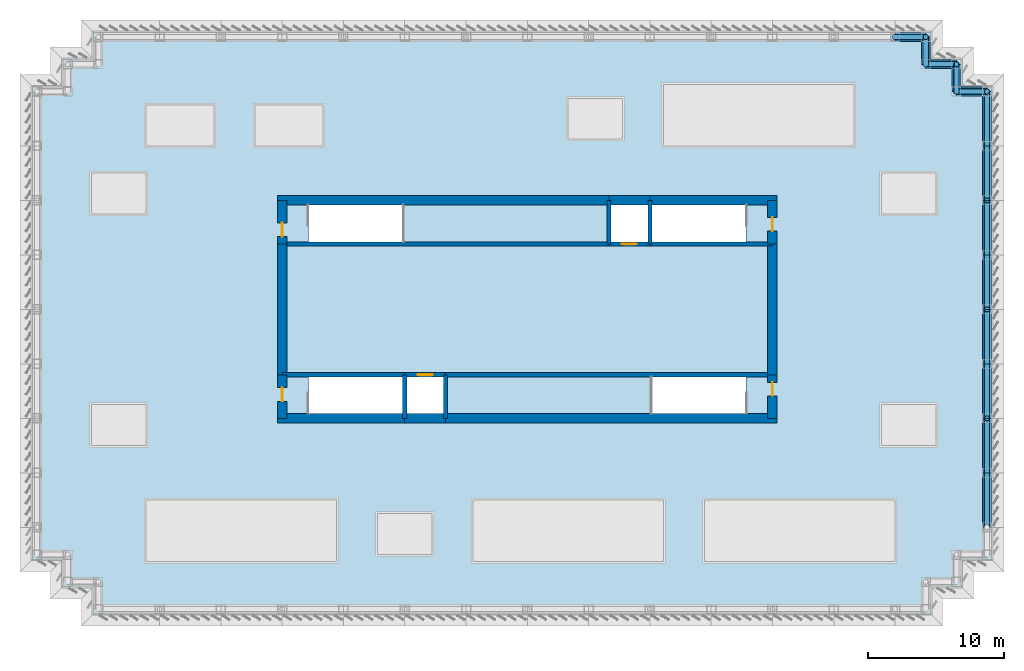
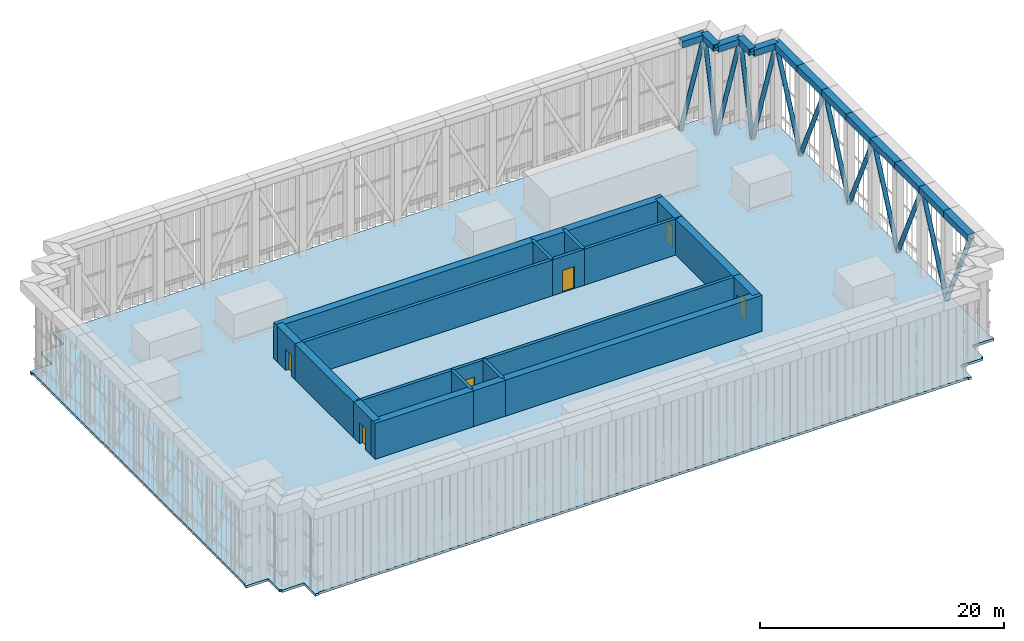
# One storey, part 2 of 11: 22 walls, 13 beams, 13 members, 6 doors, 1 slab, 6 openings.
"""IFC4 building model written with IfcOpenShell, lengths in metres."""

from ifc_helpers import new_model, si_unit, direction, frame, frame_2d, origin, origin_2d, place, context, subcontext, project, spatial, polyline, rectangle, hollow_rectangle, hollow_circle, outline, extrude, material, layer, layer_set, material_profile, profile_set, type_object, element, fill, save


model = new_model("IFC4")

# Units and contexts
model_context = context("Model", 3, precision=1e-05, world=origin(), true_north=direction((0.0, 1.0)))
body_context = subcontext(model_context, "Body", "Model", "MODEL_VIEW")
ifc_project = project(units=[si_unit("LENGTHUNIT", "METRE"), si_unit("AREAUNIT", "SQUARE_METRE"), si_unit("VOLUMEUNIT", "CUBIC_METRE"), si_unit("PLANEANGLEUNIT", "RADIAN"), si_unit("MASSUNIT", "GRAM", prefix="KILO")], contexts=[model_context])

# Site, building, storey
site_placement = place(None, origin())
site = spatial("IfcSite", under=ifc_project, at=site_placement, CompositionType="ELEMENT")
building_placement = place(site_placement, origin())
building = spatial("IfcBuilding", under=site, at=building_placement, Name="Rheinbord Bourse Tower", CompositionType="ELEMENT")
storey_placement = place(building_placement, frame((0.0, 0.0, 334.10009765625)))
storey = spatial("IfcBuildingStorey", under=building, at=storey_placement, Name="RF", CompositionType="ELEMENT", Elevation=334.10009765625)

# Members
ifc_material_1 = material(Name="Steel S460", Category="steel")
ifc_material_profile_1 = material_profile(ifc_material_1, hollow_circle(Radius=0.203125, WallThickness=0.02001953125, at=origin_2d()), Name="CHS 406.4x20")
ifc_profile_set_1 = profile_set([ifc_material_profile_1], Name="Steel S460")
member_type = type_object("IfcMemberType", Name="CROWN FRAME DIAGONAL CHS 406.4x20", PredefinedType="USERDEFINED", material=ifc_profile_set_1)
for number, where, z_axis, x_axis, name in (
    (1, (69.75, 12.0, 0.0), (0.0, -0.418734006911, 0.908108931492), (1.0, 0.0, 0.0), "Crown frame diagonal E-8-E-12"),
    (2, (69.75, 12.0, 0.0), (0.0, 0.418734006911, 0.908108931492), (-1.0, 0.0, 0.0), "Crown frame diagonal E-12-E-16"),
    (3, (69.75, 20.0, 0.0), (0.0, -0.418734006911, 0.908108931492), (1.0, 0.0, 0.0), "Crown frame diagonal E-16-E-20"),
    (4, (69.75, 20.0, 0.0), (0.0, 0.418734006911, 0.908108931492), (-1.0, 0.0, 0.0), "Crown frame diagonal E-20-E-24"),
    (5, (69.75, 28.0, 0.0), (0.0, -0.418734006911, 0.908108931492), (1.0, 0.0, 0.0), "Crown frame diagonal E-24-E-28"),
    (6, (69.75, 28.0, 0.0), (0.0, 0.418734006911, 0.908108931492), (-1.0, 0.0, 0.0), "Crown frame diagonal E-28-E-32"),
    (7, (69.75, 36.0, 0.0), (0.0, -0.418734006911, 0.908108931492), (1.0, 0.0, 0.0), "Crown frame diagonal E-32-E-36"),
    (8, (69.75, 36.0, 0.0), (0.0, 0.418734006911, 0.908108931492), (-1.0, 0.0, 0.0), "Crown frame diagonal E-36-NE-A"),
):
    element("IfcMember", number, at=place(storey_placement, frame(where, z_axis=z_axis, x_axis=x_axis)), inside=storey, type_object=member_type, Name=name, ObjectType="CROWN FRAME", PredefinedType="USERDEFINED", context=body_context, shape_type="SweptSolid", body=[
        extrude(hollow_circle(Radius=0.203125, WallThickness=0.02001953125, at=origin_2d()), origin(), (0.0, 0.0, 1.0), 9.552490234375),
    ])
member_1_placement = place(storey_placement, frame((67.5, 40.0, 0.0), z_axis=(0.251064263174, 0.0, 0.96797042091), x_axis=(0.0, 1.0, 0.0)))
element("IfcMember", 9, at=member_1_placement, inside=storey, type_object=member_type, Name="Crown frame diagonal NE-A-NE-B", ObjectType="CROWN FRAME", PredefinedType="USERDEFINED", context=body_context, shape_type="SweptSolid", body=[
    extrude(hollow_circle(Radius=0.203125, WallThickness=0.02001953125, at=origin_2d()), origin(), (0.0, 0.0, 1.0), 8.9619140625),
])
member_2_placement = place(storey_placement, frame((67.5, 40.0, 0.0), z_axis=(0.0, 0.224659212699, 0.974437395706), x_axis=(-1.0, 0.0, 0.0)))
element("IfcMember", 10, at=member_2_placement, inside=storey, type_object=member_type, Name="Crown frame diagonal NE-B-NE-C", ObjectType="CROWN FRAME", PredefinedType="USERDEFINED", context=body_context, shape_type="SweptSolid", body=[
    extrude(hollow_circle(Radius=0.203125, WallThickness=0.02001953125, at=origin_2d()), origin(), (0.0, 0.0, 1.0), 8.90234375),
])
member_3_placement = place(storey_placement, frame((65.25, 42.0, 0.0), z_axis=(0.251064263174, 0.0, 0.96797042091), x_axis=(0.0, 1.0, 0.0)))
element("IfcMember", 11, at=member_3_placement, inside=storey, type_object=member_type, Name="Crown frame diagonal NE-C-NE-D", ObjectType="CROWN FRAME", PredefinedType="USERDEFINED", context=body_context, shape_type="SweptSolid", body=[
    extrude(hollow_circle(Radius=0.203125, WallThickness=0.02001953125, at=origin_2d()), origin(), (0.0, 0.0, 1.0), 8.9619140625),
])
member_4_placement = place(storey_placement, frame((65.25, 42.0, 0.0), z_axis=(0.0, 0.224659212699, 0.974437395706), x_axis=(-1.0, 0.0, 0.0)))
element("IfcMember", 12, at=member_4_placement, inside=storey, type_object=member_type, Name="Crown frame diagonal NE-D-NE-E", ObjectType="CROWN FRAME", PredefinedType="USERDEFINED", context=body_context, shape_type="SweptSolid", body=[
    extrude(hollow_circle(Radius=0.203125, WallThickness=0.02001953125, at=origin_2d()), origin(), (0.0, 0.0, 1.0), 8.90234375),
])
member_5_placement = place(storey_placement, frame((63.0, 44.0, 0.0), z_axis=(0.251064263174, 0.0, 0.96797042091), x_axis=(0.0, 1.0, 0.0)))
element("IfcMember", 13, at=member_5_placement, inside=storey, type_object=member_type, Name="Crown frame diagonal NE-E-N-63", ObjectType="CROWN FRAME", PredefinedType="USERDEFINED", context=body_context, shape_type="SweptSolid", body=[
    extrude(hollow_circle(Radius=0.203125, WallThickness=0.02001953125, at=origin_2d()), origin(), (0.0, 0.0, 1.0), 8.9619140625),
])

# Beams
ifc_material_2 = material(Name="Steel S460", Category="steel")
ifc_material_profile_2 = material_profile(ifc_material_2, hollow_rectangle(XDim=0.64990234375, YDim=0.64990234375, WallThickness=0.02490234375, at=origin_2d()), Name="BOX 650x650x25")
ifc_profile_set_2 = profile_set([ifc_material_profile_2], Name="Steel S460")
beam_type = type_object("IfcBeamType", Name="CROWN FRAME RING BOX 650x650x25", PredefinedType="USERDEFINED", material=ifc_profile_set_2)
for number, where, z_axis, x_axis, name in (
    (14, (69.75, 8.0, 8.6748046875), (0.0, 1.0, 0.0), (-1.0, 0.0, 0.0), "Crown frame ring E-8-E-12"),
    (15, (69.75, 12.0, 8.6748046875), (0.0, 1.0, 0.0), (-1.0, 0.0, 0.0), "Crown frame ring E-12-E-16"),
    (16, (69.75, 16.0, 8.6748046875), (0.0, 1.0, 0.0), (-1.0, 0.0, 0.0), "Crown frame ring E-16-E-20"),
    (17, (69.75, 20.0, 8.6748046875), (0.0, 1.0, 0.0), (-1.0, 0.0, 0.0), "Crown frame ring E-20-E-24"),
    (18, (69.75, 24.0, 8.6748046875), (0.0, 1.0, 0.0), (-1.0, 0.0, 0.0), "Crown frame ring E-24-E-28"),
    (19, (69.75, 28.0, 8.6748046875), (0.0, 1.0, 0.0), (-1.0, 0.0, 0.0), "Crown frame ring E-28-E-32"),
    (20, (69.75, 32.0, 8.6748046875), (0.0, 1.0, 0.0), (-1.0, 0.0, 0.0), "Crown frame ring E-32-E-36"),
    (21, (69.75, 36.0, 8.6748046875), (0.0, 1.0, 0.0), (-1.0, 0.0, 0.0), "Crown frame ring E-36-NE-A"),
):
    element("IfcBeam", number, at=place(storey_placement, frame(where, z_axis=z_axis, x_axis=x_axis)), inside=storey, type_object=beam_type, Name=name, ObjectType="CROWN FRAME RING", PredefinedType="USERDEFINED", context=body_context, shape_type="SweptSolid", body=[
        extrude(hollow_rectangle(XDim=0.64990234375, YDim=0.64990234375, WallThickness=0.02490234375, at=origin_2d()), origin(), (0.0, 0.0, 1.0), 4.0),
    ])
beam_1_placement = place(storey_placement, frame((69.75, 40.0, 8.6748046875), z_axis=(-1.0, 0.0, 0.0), x_axis=(0.0, -1.0, 0.0)))
element("IfcBeam", 22, at=beam_1_placement, inside=storey, type_object=beam_type, Name="Crown frame ring NE-A-NE-B", ObjectType="CROWN FRAME RING", PredefinedType="USERDEFINED", context=body_context, shape_type="SweptSolid", body=[
    extrude(hollow_rectangle(XDim=0.64990234375, YDim=0.64990234375, WallThickness=0.02490234375, at=origin_2d()), origin(), (0.0, 0.0, 1.0), 2.25),
])
beam_2_placement = place(storey_placement, frame((67.5, 40.0, 8.6748046875), z_axis=(0.0, 1.0, 0.0), x_axis=(-1.0, 0.0, 0.0)))
element("IfcBeam", 23, at=beam_2_placement, inside=storey, type_object=beam_type, Name="Crown frame ring NE-B-NE-C", ObjectType="CROWN FRAME RING", PredefinedType="USERDEFINED", context=body_context, shape_type="SweptSolid", body=[
    extrude(hollow_rectangle(XDim=0.64990234375, YDim=0.64990234375, WallThickness=0.02490234375, at=origin_2d()), origin(), (0.0, 0.0, 1.0), 2.0),
])
beam_3_placement = place(storey_placement, frame((67.5, 42.0, 8.6748046875), z_axis=(-1.0, 0.0, 0.0), x_axis=(0.0, -1.0, 0.0)))
element("IfcBeam", 24, at=beam_3_placement, inside=storey, type_object=beam_type, Name="Crown frame ring NE-C-NE-D", ObjectType="CROWN FRAME RING", PredefinedType="USERDEFINED", context=body_context, shape_type="SweptSolid", body=[
    extrude(hollow_rectangle(XDim=0.64990234375, YDim=0.64990234375, WallThickness=0.02490234375, at=origin_2d()), origin(), (0.0, 0.0, 1.0), 2.25),
])
beam_4_placement = place(storey_placement, frame((65.25, 42.0, 8.6748046875), z_axis=(0.0, 1.0, 0.0), x_axis=(-1.0, 0.0, 0.0)))
element("IfcBeam", 25, at=beam_4_placement, inside=storey, type_object=beam_type, Name="Crown frame ring NE-D-NE-E", ObjectType="CROWN FRAME RING", PredefinedType="USERDEFINED", context=body_context, shape_type="SweptSolid", body=[
    extrude(hollow_rectangle(XDim=0.64990234375, YDim=0.64990234375, WallThickness=0.02490234375, at=origin_2d()), origin(), (0.0, 0.0, 1.0), 2.0),
])
beam_5_placement = place(storey_placement, frame((65.25, 44.0, 8.6748046875), z_axis=(-1.0, 0.0, 0.0), x_axis=(0.0, -1.0, 0.0)))
element("IfcBeam", 26, at=beam_5_placement, inside=storey, type_object=beam_type, Name="Crown frame ring NE-E-N-63", ObjectType="CROWN FRAME RING", PredefinedType="USERDEFINED", context=body_context, shape_type="SweptSolid", body=[
    extrude(hollow_rectangle(XDim=0.64990234375, YDim=0.64990234375, WallThickness=0.02490234375, at=origin_2d()), origin(), (0.0, 0.0, 1.0), 2.25),
])

# Slab
ifc_material_3 = material(Name="Concrete C30/37", Category="concrete")
ifc_layer_1 = layer(ifc_material_3, 0.25)
ifc_layer_set_1 = layer_set([ifc_layer_1], Name="ROOF SLAB 250")
slab_type = type_object("IfcSlabType", Name="ROOF SLAB 250", PredefinedType="ROOF", material=ifc_layer_set_1)
slab_placement = place(storey_placement, frame((0.0, 0.0, -0.25)))
element("IfcSlab", 27, at=slab_placement, inside=storey, type_object=slab_type, Name="Roof slab", PredefinedType="ROOF", context=body_context, shape_type="SweptSolid", body=[
    extrude(outline(polyline([(1.64990234375, 3.39990234375), (1.5, 3.39990234375), (1.5, 5.25), (-0.60009765625, 5.25), (-0.60009765625, 5.550048828125), (-0.5, 5.550048828125), (-0.5, 40.449951171875), (-0.60009765625, 40.449951171875), (-0.60009765625, 40.75), (1.5, 40.75), (1.5, 42.60009765625), (1.64990234375, 42.60009765625), (1.64990234375, 42.75), (3.75, 42.75), (3.75, 44.60009765625), (4.050048828125, 44.60009765625), (4.050048828125, 44.5), (65.699951171875, 44.5), (65.699951171875, 44.60009765625), (66.0, 44.60009765625), (66.0, 42.75), (68.10009765625, 42.75), (68.10009765625, 42.60009765625), (68.25, 42.60009765625), (68.25, 40.75), (70.35009765625, 40.75), (70.35009765625, 40.449951171875), (70.25, 40.449951171875), (70.25, 5.550048828125), (70.35009765625, 5.550048828125), (70.35009765625, 5.25), (68.25, 5.25), (68.25, 3.39990234375), (68.10009765625, 3.39990234375), (68.10009765625, 3.25), (66.0, 3.25), (66.0, 1.39990234375), (65.699951171875, 1.39990234375), (65.699951171875, 1.5), (4.050048828125, 1.5), (4.050048828125, 1.39990234375), (3.75, 1.39990234375), (3.75, 3.25), (1.64990234375, 3.25), (1.64990234375, 3.39990234375)]), holes=[polyline([(19.949951171875, 16.35009765625), (19.949951171875, 19.050048828125), (26.85009765625, 19.050048828125), (26.85009765625, 16.35009765625), (19.949951171875, 16.35009765625)]), polyline([(19.949951171875, 28.949951171875), (19.949951171875, 31.64990234375), (26.85009765625, 31.64990234375), (26.85009765625, 28.949951171875), (19.949951171875, 28.949951171875)]), polyline([(45.14990234375, 16.35009765625), (45.14990234375, 19.050048828125), (52.050048828125, 19.050048828125), (52.050048828125, 16.35009765625), (45.14990234375, 16.35009765625)]), polyline([(45.14990234375, 28.949951171875), (45.14990234375, 31.64990234375), (52.050048828125, 31.64990234375), (52.050048828125, 28.949951171875), (45.14990234375, 28.949951171875)]), polyline([(27.14990234375, 16.35009765625), (27.14990234375, 19.050048828125), (29.85009765625, 19.050048828125), (29.85009765625, 16.35009765625), (27.14990234375, 16.35009765625)]), polyline([(42.14990234375, 28.949951171875), (42.14990234375, 31.64990234375), (44.85009765625, 31.64990234375), (44.85009765625, 28.949951171875), (42.14990234375, 28.949951171875)])]), origin(), (0.0, 0.0, 1.0), 0.25),
])

# Wall
ifc_material_4 = material(Name="Concrete C50/60", Category="concrete")
ifc_layer_2 = layer(ifc_material_4, 0.300048828125)
ifc_layer_set_2 = layer_set([ifc_layer_2], Name="CORE INNER WALL 300")
wall_type_1 = type_object("IfcWallType", Name="CORE INNER WALL 300", PredefinedType="SOLIDWALL", material=ifc_layer_set_2)
wall_1_placement = place(storey_placement, frame((18.0, 19.199951171875, 0.0), z_axis=(0.0, 0.0, 1.0), x_axis=(1.0, 0.0, 0.0)))
element("IfcWall", 28, at=wall_1_placement, inside=storey, type_object=wall_type_1, Name="Core wall A1 RF", PredefinedType="SOLIDWALL", context=body_context, shape_type="SweptSolid", body=[
    extrude(rectangle(XDim=9.0, YDim=0.300048828125, at=frame_2d((4.5, 0.0))), origin(), (0.0, 0.0, 1.0), 3.599853515625),
])

# Wall, opening, door
wall_2_placement = place(storey_placement, frame((27.0, 19.199951171875, 0.0), z_axis=(0.0, 0.0, 1.0), x_axis=(1.0, 0.0, 0.0)))
wall_2 = element("IfcWall", 29, at=wall_2_placement, inside=storey, type_object=wall_type_1, Name="Core wall A2 RF", PredefinedType="SOLIDWALL", context=body_context, shape_type="SweptSolid", body=[
    extrude(rectangle(XDim=3.0, YDim=0.300048828125, at=frame_2d((1.5, 0.0))), origin(), (0.0, 0.0, 1.0), 3.599853515625),
])
opening_1_placement = place(wall_2_placement, frame((0.949951171875, 0.0, 0.0)))
opening_1 = element("IfcOpeningElement", 30, at=opening_1_placement, cuts=wall_2, Name="Opening FL1", PredefinedType="OPENING", context=body_context, shape_type="SweptSolid", body=[
    extrude(rectangle(XDim=1.10009765625, YDim=2.199951171875, at=frame_2d((0.550048828125, 1.10009765625))), frame((0.0, 0.159912109375, 0.0), z_axis=(0.0, -1.0, 0.0), x_axis=(1.0, 0.0, 0.0)), (0.0, 0.0, 1.0), 0.320068359375),
])
ifc_material_5 = material(Name="Steel landing door", Category="steel")
door_type_1 = type_object("IfcDoorType", Name="LIFT LANDING DOOR 1100", OperationType="DOUBLE_DOOR_SLIDING", PredefinedType="USERDEFINED", material=ifc_material_5)
door_1_placement = place(opening_1_placement, origin())
door_1 = element("IfcDoor", 31, at=door_1_placement, inside=storey, type_object=door_type_1, Name="Lift landing door FL1 RF", ObjectType="LIFT LANDING DOOR", OperationType="DOUBLE_DOOR_SLIDING", OverallHeight=2.199951171875, OverallWidth=1.10009765625, PredefinedType="USERDEFINED", context=body_context, shape_type="SweptSolid", body=[
    extrude(rectangle(XDim=1.10009765625, YDim=2.199951171875, at=frame_2d((0.550048828125, 1.10009765625))), frame((0.0, 0.02490234375, 0.0), z_axis=(0.0, -1.0, 0.0), x_axis=(1.0, 0.0, 0.0)), (0.0, 0.0, 1.0), 0.050048828125),
])
fill(opening_1, door_1)

# Walls
for number, where, z_axis, x_axis, name in (
    (32, (30.0, 19.199951171875, 0.0), (0.0, 0.0, 1.0), (1.0, 0.0, 0.0), "Core wall A3 RF"),
    (33, (18.0, 28.800048828125, 0.0), (0.0, 0.0, 1.0), (1.0, 0.0, 0.0), "Core wall B1 RF"),
):
    element("IfcWall", number, at=place(storey_placement, frame(where, z_axis=z_axis, x_axis=x_axis)), inside=storey, type_object=wall_type_1, Name=name, PredefinedType="SOLIDWALL", context=body_context, shape_type="SweptSolid", body=[
        extrude(rectangle(XDim=24.0, YDim=0.300048828125, at=frame_2d((12.0, 0.0))), origin(), (0.0, 0.0, 1.0), 3.599853515625),
    ])

# Wall, opening, door
wall_3_placement = place(storey_placement, frame((42.0, 28.800048828125, 0.0), z_axis=(0.0, 0.0, 1.0), x_axis=(1.0, 0.0, 0.0)))
wall_3 = element("IfcWall", 34, at=wall_3_placement, inside=storey, type_object=wall_type_1, Name="Core wall B2 RF", PredefinedType="SOLIDWALL", context=body_context, shape_type="SweptSolid", body=[
    extrude(rectangle(XDim=3.0, YDim=0.300048828125, at=frame_2d((1.5, 0.0))), origin(), (0.0, 0.0, 1.0), 3.599853515625),
])
opening_2_placement = place(wall_3_placement, frame((0.949951171875, 0.0, 0.0)))
opening_2 = element("IfcOpeningElement", 35, at=opening_2_placement, cuts=wall_3, Name="Opening FL2", PredefinedType="OPENING", context=body_context, shape_type="SweptSolid", body=[
    extrude(rectangle(XDim=1.10009765625, YDim=2.199951171875, at=frame_2d((0.550048828125, 1.10009765625))), frame((0.0, 0.159912109375, 0.0), z_axis=(0.0, -1.0, 0.0), x_axis=(1.0, 0.0, 0.0)), (0.0, 0.0, 1.0), 0.320068359375),
])
door_2_placement = place(opening_2_placement, origin())
door_2 = element("IfcDoor", 36, at=door_2_placement, inside=storey, type_object=door_type_1, Name="Lift landing door FL2 RF", ObjectType="LIFT LANDING DOOR", OperationType="DOUBLE_DOOR_SLIDING", OverallHeight=2.199951171875, OverallWidth=1.10009765625, PredefinedType="USERDEFINED", context=body_context, shape_type="SweptSolid", body=[
    extrude(rectangle(XDim=1.10009765625, YDim=2.199951171875, at=frame_2d((0.550048828125, 1.10009765625))), frame((0.0, 0.02490234375, 0.0), z_axis=(0.0, -1.0, 0.0), x_axis=(1.0, 0.0, 0.0)), (0.0, 0.0, 1.0), 0.050048828125),
])
fill(opening_2, door_2)

# Walls
wall_4_placement = place(storey_placement, frame((45.0, 28.800048828125, 0.0), z_axis=(0.0, 0.0, 1.0), x_axis=(1.0, 0.0, 0.0)))
element("IfcWall", 37, at=wall_4_placement, inside=storey, type_object=wall_type_1, Name="Core wall B3 RF", PredefinedType="SOLIDWALL", context=body_context, shape_type="SweptSolid", body=[
    extrude(rectangle(XDim=9.0, YDim=0.300048828125, at=frame_2d((4.5, 0.0))), origin(), (0.0, 0.0, 1.0), 3.599853515625),
])
for number, where, z_axis, x_axis, name in (
    (38, (27.0, 16.0, 0.0), (0.0, 0.0, 1.0), (0.0, 1.0, 0.0), "Core wall SX27 RF"),
    (39, (30.0, 16.0, 0.0), (0.0, 0.0, 1.0), (0.0, 1.0, 0.0), "Core wall SX30 RF"),
    (40, (42.0, 28.800048828125, 0.0), (0.0, 0.0, 1.0), (0.0, 1.0, 0.0), "Core wall NX42 RF"),
    (41, (45.0, 28.800048828125, 0.0), (0.0, 0.0, 1.0), (0.0, 1.0, 0.0), "Core wall NX45 RF"),
):
    element("IfcWall", number, at=place(storey_placement, frame(where, z_axis=z_axis, x_axis=x_axis)), inside=storey, type_object=wall_type_1, Name=name, PredefinedType="SOLIDWALL", context=body_context, shape_type="SweptSolid", body=[
        extrude(rectangle(XDim=3.199951171875, YDim=0.300048828125, at=frame_2d((1.60009765625, 0.0))), origin(), (0.0, 0.0, 1.0), 3.599853515625),
    ])
ifc_material_6 = material(Name="Concrete C50/60", Category="concrete")
ifc_layer_3 = layer(ifc_material_6, 0.699951171875)
ifc_layer_set_3 = layer_set([ifc_layer_3], Name="CORE WALL 700")
wall_type_2 = type_object("IfcWallType", Name="CORE WALL 700", PredefinedType="SHEAR", material=ifc_layer_set_3)
wall_5_placement = place(storey_placement, frame((17.64990234375, 16.0, 0.0), z_axis=(0.0, 0.0, 1.0), x_axis=(1.0, 0.0, 0.0)))
element("IfcWall", 42, at=wall_5_placement, inside=storey, type_object=wall_type_2, Name="Core wall S1 RF", PredefinedType="SHEAR", context=body_context, shape_type="SweptSolid", body=[
    extrude(rectangle(XDim=9.35009765625, YDim=0.699951171875, at=frame_2d((4.675048828125, 0.0))), origin(), (0.0, 0.0, 1.0), 3.599853515625),
])
wall_6_placement = place(storey_placement, frame((27.0, 16.0, 0.0), z_axis=(0.0, 0.0, 1.0), x_axis=(1.0, 0.0, 0.0)))
element("IfcWall", 43, at=wall_6_placement, inside=storey, type_object=wall_type_2, Name="Core wall S2 RF", PredefinedType="SHEAR", context=body_context, shape_type="SweptSolid", body=[
    extrude(rectangle(XDim=3.0, YDim=0.699951171875, at=frame_2d((1.5, 0.0))), origin(), (0.0, 0.0, 1.0), 3.599853515625),
])
wall_7_placement = place(storey_placement, frame((30.0, 16.0, 0.0), z_axis=(0.0, 0.0, 1.0), x_axis=(1.0, 0.0, 0.0)))
element("IfcWall", 44, at=wall_7_placement, inside=storey, type_object=wall_type_2, Name="Core wall S3 RF", PredefinedType="SHEAR", context=body_context, shape_type="SweptSolid", body=[
    extrude(rectangle(XDim=24.35009765625, YDim=0.699951171875, at=frame_2d((12.175048828125, 0.0))), origin(), (0.0, 0.0, 1.0), 3.599853515625),
])
wall_8_placement = place(storey_placement, frame((54.35009765625, 32.0, 0.0), z_axis=(0.0, 0.0, 1.0), x_axis=(-1.0, 0.0, 0.0)))
element("IfcWall", 45, at=wall_8_placement, inside=storey, type_object=wall_type_2, Name="Core wall N1 RF", PredefinedType="SHEAR", context=body_context, shape_type="SweptSolid", body=[
    extrude(rectangle(XDim=9.35009765625, YDim=0.699951171875, at=frame_2d((4.675048828125, 0.0))), origin(), (0.0, 0.0, 1.0), 3.599853515625),
])
wall_9_placement = place(storey_placement, frame((45.0, 32.0, 0.0), z_axis=(0.0, 0.0, 1.0), x_axis=(-1.0, 0.0, 0.0)))
element("IfcWall", 46, at=wall_9_placement, inside=storey, type_object=wall_type_2, Name="Core wall N2 RF", PredefinedType="SHEAR", context=body_context, shape_type="SweptSolid", body=[
    extrude(rectangle(XDim=3.0, YDim=0.699951171875, at=frame_2d((1.5, 0.0))), origin(), (0.0, 0.0, 1.0), 3.599853515625),
])
wall_10_placement = place(storey_placement, frame((42.0, 32.0, 0.0), z_axis=(0.0, 0.0, 1.0), x_axis=(-1.0, 0.0, 0.0)))
element("IfcWall", 47, at=wall_10_placement, inside=storey, type_object=wall_type_2, Name="Core wall N3 RF", PredefinedType="SHEAR", context=body_context, shape_type="SweptSolid", body=[
    extrude(rectangle(XDim=24.35009765625, YDim=0.699951171875, at=frame_2d((12.175048828125, 0.0))), origin(), (0.0, 0.0, 1.0), 3.599853515625),
])

# Wall, opening, door
wall_11_placement = place(storey_placement, frame((18.0, 32.0, 0.0), z_axis=(0.0, 0.0, 1.0), x_axis=(0.0, -1.0, 0.0)))
wall_11 = element("IfcWall", 48, at=wall_11_placement, inside=storey, type_object=wall_type_2, Name="Core wall W1 RF", PredefinedType="SHEAR", context=body_context, shape_type="SweptSolid", body=[
    extrude(rectangle(XDim=3.199951171875, YDim=0.699951171875, at=frame_2d((1.60009765625, 0.0))), origin(), (0.0, 0.0, 1.0), 3.599853515625),
])
opening_3_placement = place(wall_11_placement, frame((1.64990234375, 0.0, 0.0)))
opening_3 = element("IfcOpeningElement", 49, at=opening_3_placement, cuts=wall_11, Name="Opening RF2", PredefinedType="OPENING", context=body_context, shape_type="SweptSolid", body=[
    extrude(rectangle(XDim=1.0, YDim=2.10009765625, at=frame_2d((0.5, 1.050048828125))), frame((0.0, 0.35986328125, 0.0), z_axis=(0.0, -1.0, 0.0), x_axis=(1.0, 0.0, 0.0)), (0.0, 0.0, 1.0), 0.719970703125),
])
ifc_material_7 = material(Name="Steel door", Category="steel")
door_type_2 = type_object("IfcDoorType", Name="DOOR 1000 EI30", OperationType="SINGLE_SWING_LEFT", PredefinedType="DOOR", material=ifc_material_7)
door_3_placement = place(opening_3_placement, origin())
door_3 = element("IfcDoor", 50, at=door_3_placement, inside=storey, type_object=door_type_2, Name="Roof door ST2", OperationType="SINGLE_SWING_RIGHT", OverallHeight=2.10009765625, OverallWidth=1.0, PredefinedType="DOOR", context=body_context, shape_type="SweptSolid", body=[
    extrude(rectangle(XDim=1.0, YDim=2.10009765625, at=frame_2d((0.5, 1.050048828125))), frame((0.0, 0.02490234375, 0.0), z_axis=(0.0, -1.0, 0.0), x_axis=(1.0, 0.0, 0.0)), (0.0, 0.0, 1.0), 0.050048828125),
])
fill(opening_3, door_3)

# Wall
wall_12_placement = place(storey_placement, frame((18.0, 28.800048828125, 0.0), z_axis=(0.0, 0.0, 1.0), x_axis=(0.0, -1.0, 0.0)))
element("IfcWall", 51, at=wall_12_placement, inside=storey, type_object=wall_type_2, Name="Core wall W2 RF", PredefinedType="SHEAR", context=body_context, shape_type="SweptSolid", body=[
    extrude(rectangle(XDim=9.60009765625, YDim=0.699951171875, at=frame_2d((4.800048828125, 0.0))), origin(), (0.0, 0.0, 1.0), 3.599853515625),
])

# Wall, opening, door
wall_13_placement = place(storey_placement, frame((18.0, 19.199951171875, 0.0), z_axis=(0.0, 0.0, 1.0), x_axis=(0.0, -1.0, 0.0)))
wall_13 = element("IfcWall", 52, at=wall_13_placement, inside=storey, type_object=wall_type_2, Name="Core wall W3 RF", PredefinedType="SHEAR", context=body_context, shape_type="SweptSolid", body=[
    extrude(rectangle(XDim=3.199951171875, YDim=0.699951171875, at=frame_2d((1.60009765625, 0.0))), origin(), (0.0, 0.0, 1.0), 3.599853515625),
])
opening_4_placement = place(wall_13_placement, frame((0.949951171875, 0.0, 0.0)))
opening_4 = element("IfcOpeningElement", 53, at=opening_4_placement, cuts=wall_13, Name="Opening RF1", PredefinedType="OPENING", context=body_context, shape_type="SweptSolid", body=[
    extrude(rectangle(XDim=1.0, YDim=2.10009765625, at=frame_2d((0.5, 1.050048828125))), frame((0.0, 0.35986328125, 0.0), z_axis=(0.0, -1.0, 0.0), x_axis=(1.0, 0.0, 0.0)), (0.0, 0.0, 1.0), 0.719970703125),
])
door_4_placement = place(opening_4_placement, origin())
door_4 = element("IfcDoor", 54, at=door_4_placement, inside=storey, type_object=door_type_2, Name="Roof door ST1", OperationType="SINGLE_SWING_LEFT", OverallHeight=2.10009765625, OverallWidth=1.0, PredefinedType="DOOR", context=body_context, shape_type="SweptSolid", body=[
    extrude(rectangle(XDim=1.0, YDim=2.10009765625, at=frame_2d((0.5, 1.050048828125))), frame((0.0, 0.02490234375, 0.0), z_axis=(0.0, -1.0, 0.0), x_axis=(1.0, 0.0, 0.0)), (0.0, 0.0, 1.0), 0.050048828125),
])
fill(opening_4, door_4)

wall_14_placement = place(storey_placement, frame((54.0, 16.0, 0.0), z_axis=(0.0, 0.0, 1.0), x_axis=(0.0, 1.0, 0.0)))
wall_14 = element("IfcWall", 55, at=wall_14_placement, inside=storey, type_object=wall_type_2, Name="Core wall E1 RF", PredefinedType="SHEAR", context=body_context, shape_type="SweptSolid", body=[
    extrude(rectangle(XDim=3.199951171875, YDim=0.699951171875, at=frame_2d((1.60009765625, 0.0))), origin(), (0.0, 0.0, 1.0), 3.599853515625),
])
opening_5_placement = place(wall_14_placement, frame((1.64990234375, 0.0, 0.0)))
opening_5 = element("IfcOpeningElement", 56, at=opening_5_placement, cuts=wall_14, Name="Opening RF3", PredefinedType="OPENING", context=body_context, shape_type="SweptSolid", body=[
    extrude(rectangle(XDim=1.0, YDim=2.10009765625, at=frame_2d((0.5, 1.050048828125))), frame((0.0, 0.35986328125, 0.0), z_axis=(0.0, -1.0, 0.0), x_axis=(1.0, 0.0, 0.0)), (0.0, 0.0, 1.0), 0.719970703125),
])
door_5_placement = place(opening_5_placement, origin())
door_5 = element("IfcDoor", 57, at=door_5_placement, inside=storey, type_object=door_type_2, Name="Roof door ST3", OperationType="SINGLE_SWING_RIGHT", OverallHeight=2.10009765625, OverallWidth=1.0, PredefinedType="DOOR", context=body_context, shape_type="SweptSolid", body=[
    extrude(rectangle(XDim=1.0, YDim=2.10009765625, at=frame_2d((0.5, 1.050048828125))), frame((0.0, 0.02490234375, 0.0), z_axis=(0.0, -1.0, 0.0), x_axis=(1.0, 0.0, 0.0)), (0.0, 0.0, 1.0), 0.050048828125),
])
fill(opening_5, door_5)

# Wall
wall_15_placement = place(storey_placement, frame((54.0, 19.199951171875, 0.0), z_axis=(0.0, 0.0, 1.0), x_axis=(0.0, 1.0, 0.0)))
element("IfcWall", 58, at=wall_15_placement, inside=storey, type_object=wall_type_2, Name="Core wall E2 RF", PredefinedType="SHEAR", context=body_context, shape_type="SweptSolid", body=[
    extrude(rectangle(XDim=9.60009765625, YDim=0.699951171875, at=frame_2d((4.800048828125, 0.0))), origin(), (0.0, 0.0, 1.0), 3.599853515625),
])

# Wall, opening, door
wall_16_placement = place(storey_placement, frame((54.0, 28.800048828125, 0.0), z_axis=(0.0, 0.0, 1.0), x_axis=(0.0, 1.0, 0.0)))
wall_16 = element("IfcWall", 59, at=wall_16_placement, inside=storey, type_object=wall_type_2, Name="Core wall E3 RF", PredefinedType="SHEAR", context=body_context, shape_type="SweptSolid", body=[
    extrude(rectangle(XDim=3.199951171875, YDim=0.699951171875, at=frame_2d((1.60009765625, 0.0))), origin(), (0.0, 0.0, 1.0), 3.599853515625),
])
opening_6_placement = place(wall_16_placement, frame((0.949951171875, 0.0, 0.0)))
opening_6 = element("IfcOpeningElement", 60, at=opening_6_placement, cuts=wall_16, Name="Opening RF4", PredefinedType="OPENING", context=body_context, shape_type="SweptSolid", body=[
    extrude(rectangle(XDim=1.0, YDim=2.10009765625, at=frame_2d((0.5, 1.050048828125))), frame((0.0, 0.35986328125, 0.0), z_axis=(0.0, -1.0, 0.0), x_axis=(1.0, 0.0, 0.0)), (0.0, 0.0, 1.0), 0.719970703125),
])
door_6_placement = place(opening_6_placement, origin())
door_6 = element("IfcDoor", 61, at=door_6_placement, inside=storey, type_object=door_type_2, Name="Roof door ST4", OperationType="SINGLE_SWING_LEFT", OverallHeight=2.10009765625, OverallWidth=1.0, PredefinedType="DOOR", context=body_context, shape_type="SweptSolid", body=[
    extrude(rectangle(XDim=1.0, YDim=2.10009765625, at=frame_2d((0.5, 1.050048828125))), frame((0.0, 0.02490234375, 0.0), z_axis=(0.0, -1.0, 0.0), x_axis=(1.0, 0.0, 0.0)), (0.0, 0.0, 1.0), 0.050048828125),
])
fill(opening_6, door_6)

save(model, "model.ifc")
